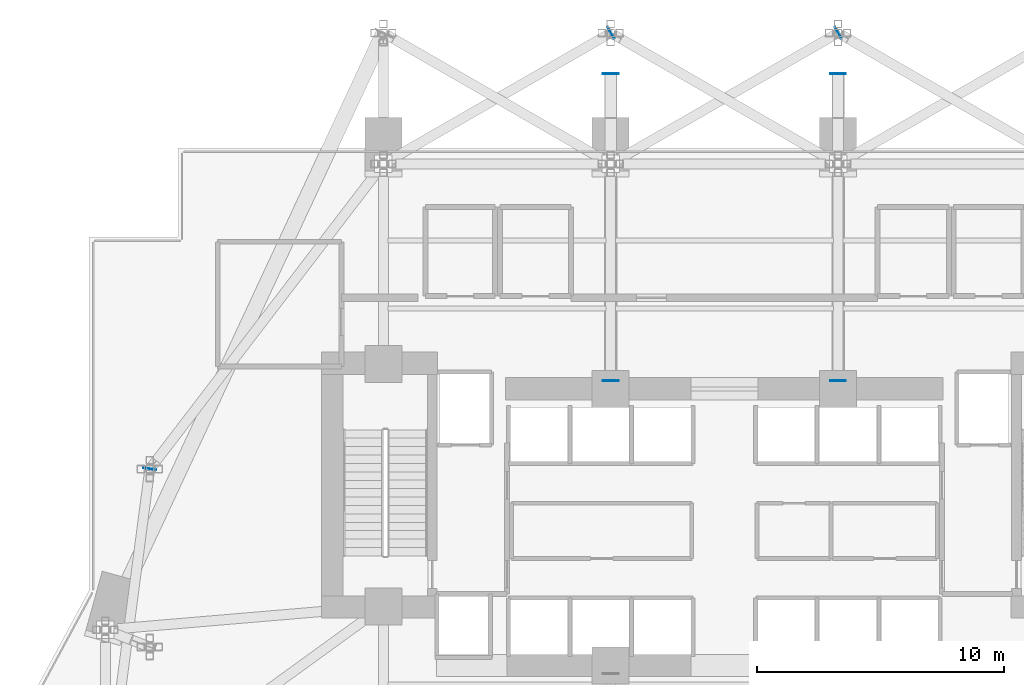
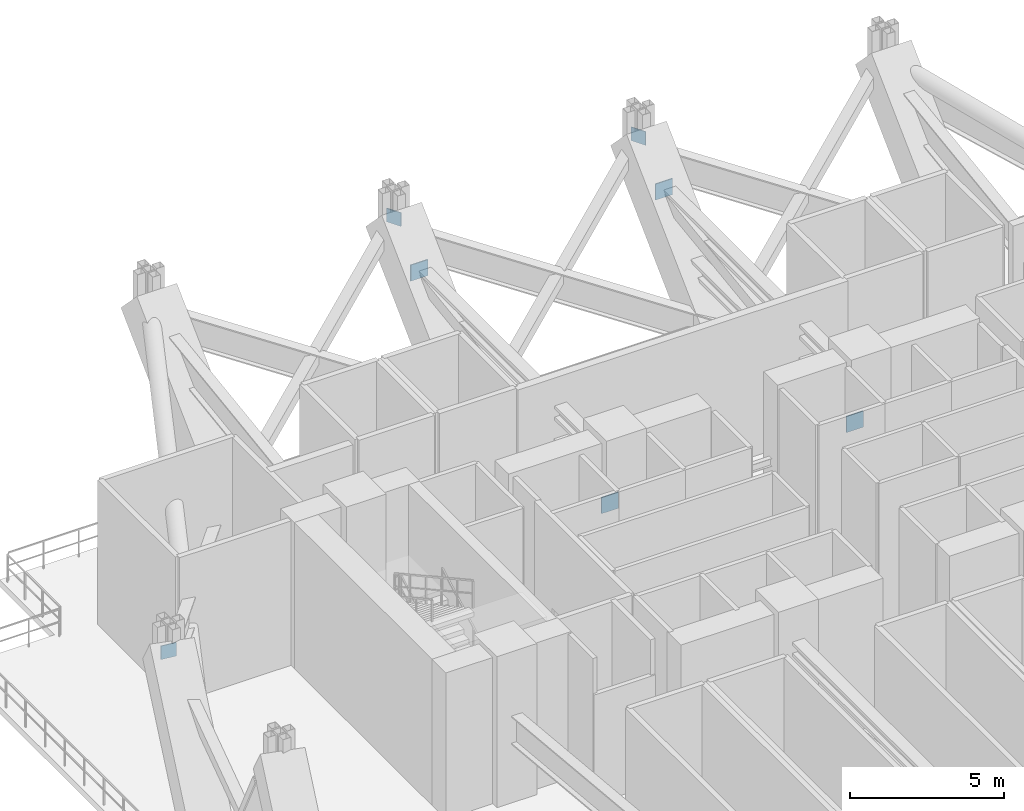
# One storey, part 11 of 21: 7 plates.
"""IFC4 building model written with IfcOpenShell, lengths in metres."""

from ifc_helpers import new_model, si_unit, direction, frame, origin, origin_2d, place, context, subcontext, project, spatial, rectangle, extrude, material, layer, layer_set, type_object, element, save


model = new_model("IFC4")

# Units and contexts
model_context = context("Model", 3, precision=1e-05, world=origin(), true_north=direction((0.0, 1.0)))
body_context = subcontext(model_context, "Body", "Model", "MODEL_VIEW")
ifc_project = project(units=[si_unit("LENGTHUNIT", "METRE"), si_unit("AREAUNIT", "SQUARE_METRE"), si_unit("VOLUMEUNIT", "CUBIC_METRE"), si_unit("PLANEANGLEUNIT", "RADIAN"), si_unit("MASSUNIT", "GRAM", prefix="KILO")], contexts=[model_context])

# Site, building, storey
site_placement = place(None, origin())
site = spatial("IfcSite", under=ifc_project, at=site_placement, CompositionType="ELEMENT")
building_placement = place(site_placement, origin())
building = spatial("IfcBuilding", under=site, at=building_placement, Name="Zuhayl Quay Hotel", CompositionType="ELEMENT")
storey_placement = place(building_placement, frame((0.0, 0.0, 89.64990234375)))
storey = spatial("IfcBuildingStorey", under=building, at=storey_placement, Name="L22", CompositionType="ELEMENT", Elevation=89.64990234375)

# Plates
ifc_material = material(Name="Steel ASTM A572 Grade 50", Category="steel")
ifc_layer_1 = layer(ifc_material, 0.030029296875, Name="Steel ASTM A572 Grade 50", Category="steel")
ifc_layer_set_1 = layer_set([ifc_layer_1], Name="Steel ASTM A572 Grade 50")
plate_type_1 = type_object("IfcPlateType", Name="TP_CAP_PLATE_30", PredefinedType="USERDEFINED", material=ifc_layer_set_1)
for number, where, z_axis, x_axis, name in (
    (1, (-4.590576171875, 27.75537109375, 5.18505859375), (0.0, 0.0, 1.0), (0.866461406284, 0.499244059975, 0.0), "Truss Node Cap Assembly KN2"),
    (2, (4.609375, 27.75537109375, 5.18505859375), (0.0, 0.0, 1.0), (0.866461406284, 0.499244059975, 0.0), "Truss Node Cap Assembly KN2"),
    (3, (-23.24853515625, 10.111083984375, 5.18408203125), (0.0, 0.0, 1.0), (0.130353150461, 0.991467627391, 0.0), "Truss Node Cap Assembly KN2"),
):
    element("IfcPlate", number, at=place(storey_placement, frame(where, z_axis=z_axis, x_axis=x_axis)), inside=storey, type_object=plate_type_1, Name=name, ObjectType="GUSSET PLATE", PredefinedType="USERDEFINED", context=body_context, shape_type="SweptSolid", body=[
        extrude(rectangle(XDim=0.030029296875, YDim=0.5400390625, at=origin_2d()), origin(), (0.0, 0.0, 1.0), 0.5400390625),
    ])
ifc_layer_2 = layer(ifc_material, 0.0400390625, Name="Steel ASTM A572 Grade 50", Category="steel")
ifc_layer_set_2 = layer_set([ifc_layer_2], Name="Steel ASTM A572 Grade 50")
plate_type_2 = type_object("IfcPlateType", Name="TP_CAP_PLATE_40", PredefinedType="USERDEFINED", material=ifc_layer_set_2)
for number, where, z_axis, x_axis, name in (
    (4, (-4.60009765625, 13.68408203125, 2.328125), (0.0, 0.0, 1.0), (0.0, -1.0, 0.0), "Truss Node Cap Assembly KN1"),
    (5, (-4.60009765625, 26.103271484375, 4.0322265625), (0.0, 0.0, 1.0), (0.0, 1.0, 0.0), "Truss Node Cap Assembly KN1"),
    (6, (4.60009765625, 13.68408203125, 2.328125), (0.0, 0.0, 1.0), (0.0, -1.0, 0.0), "Truss Node Cap Assembly KN1"),
    (7, (4.60009765625, 26.103271484375, 4.0322265625), (0.0, 0.0, 1.0), (0.0, 1.0, 0.0), "Truss Node Cap Assembly KN1"),
):
    element("IfcPlate", number, at=place(storey_placement, frame(where, z_axis=z_axis, x_axis=x_axis)), inside=storey, type_object=plate_type_2, Name=name, ObjectType="GUSSET PLATE", PredefinedType="USERDEFINED", context=body_context, shape_type="SweptSolid", body=[
        extrude(rectangle(XDim=0.0400390625, YDim=0.639892578125, at=origin_2d()), origin(), (0.0, 0.0, 1.0), 0.639892578125),
    ])

save(model, "model.ifc")
